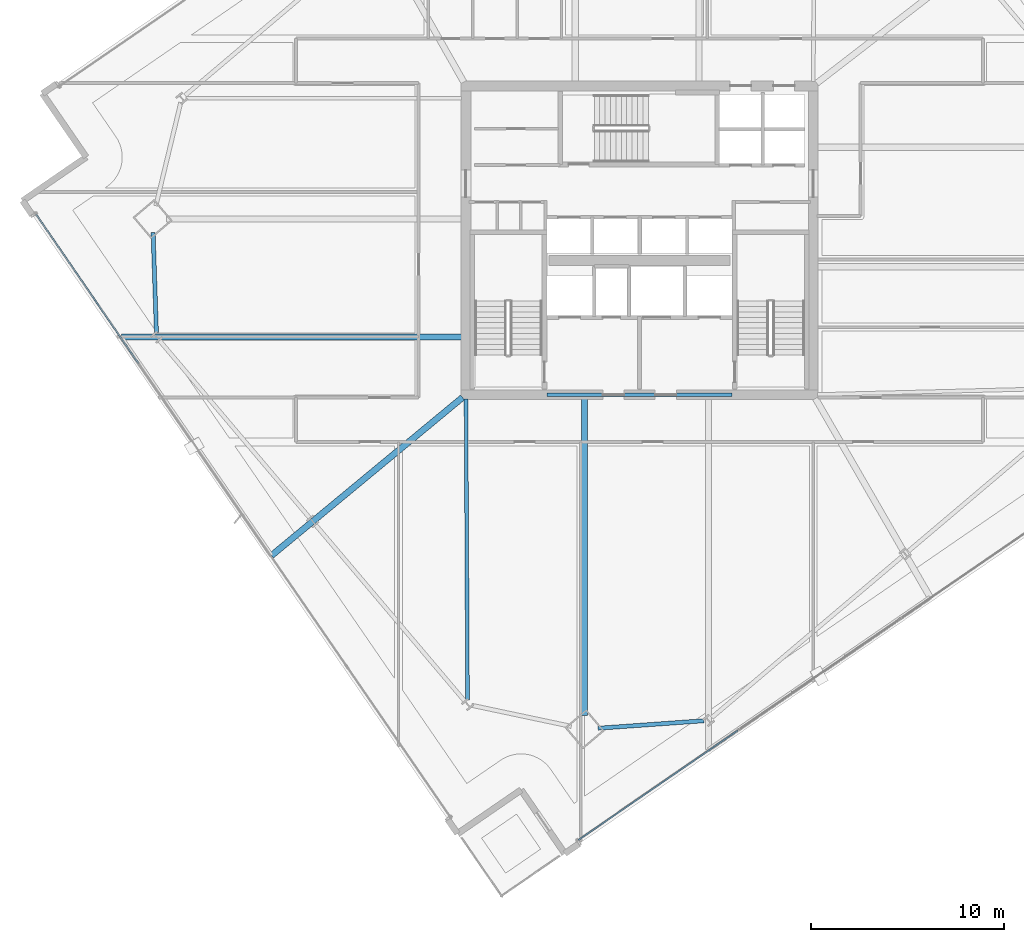
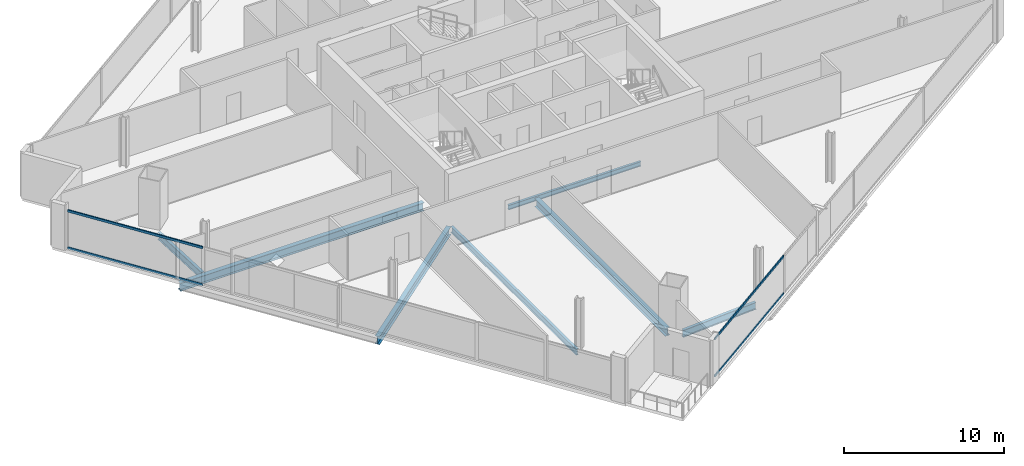
# One storey, part 5 of 29: 7 beams, 4 members, 2 elements without a shape of their own.
"""IFC4 building model written with IfcOpenShell, lengths in metres."""

from ifc_helpers import new_model, si_unit, direction, frame, origin, origin_2d, place, context, subcontext, project, spatial, hollow_rectangle, i_section, extrude, material, material_profile, profile_set, type_object, element, aggregate, save


model = new_model("IFC4")

# Units and contexts
model_context = context("Model", 3, precision=1e-05, world=origin(), true_north=direction((0.0, 1.0)))
body_context = subcontext(model_context, "Body", "Model", "MODEL_VIEW")
ifc_project = project(units=[si_unit("LENGTHUNIT", "METRE"), si_unit("AREAUNIT", "SQUARE_METRE"), si_unit("VOLUMEUNIT", "CUBIC_METRE"), si_unit("PLANEANGLEUNIT", "RADIAN"), si_unit("MASSUNIT", "GRAM", prefix="KILO")], contexts=[model_context])

# Site, building, storey
site_placement = place(None, origin())
site = spatial("IfcSite", under=ifc_project, at=site_placement, CompositionType="ELEMENT")
building_placement = place(site_placement, origin())
building = spatial("IfcBuilding", under=site, at=building_placement, Name="Haldenkirk Collegiate Tower", CompositionType="ELEMENT")
storey_placement = place(building_placement, frame((0.0, 0.0, 144.449951171875)))
storey = spatial("IfcBuildingStorey", under=building, at=storey_placement, Name="L35", CompositionType="ELEMENT", Elevation=144.449951171875)

# Beams
ifc_material_1 = material(Name="Steel ASTM A992 Grade 50", Category="steel")
ifc_material_profile_1 = material_profile(ifc_material_1, i_section(OverallWidth=0.324951171875, OverallDepth=0.615966796875, WebThickness=0.013916015625, FlangeThickness=0.021484375, at=origin_2d()), Name="W24X117")
ifc_profile_set_1 = profile_set([ifc_material_profile_1], Name="Steel ASTM A992 Grade 50")
beam_type_1 = type_object("IfcBeamType", Name="BM-GIRDER-W24X117", PredefinedType="BEAM", material=ifc_profile_set_1)
beam_1_placement = place(storey_placement, frame((33.149169921875, 1.36279296875, -0.597900390625), z_axis=(0.0, 1.0, 0.0), x_axis=(-1.0, 0.0, 0.0)))
element("IfcBeam", 1, at=beam_1_placement, inside=storey, type_object=beam_type_1, Name="L35 primary floor girder 01", PredefinedType="BEAM", context=body_context, shape_type="SweptSolid", body=[
    extrude(i_section(OverallWidth=0.324951171875, OverallDepth=0.615966796875, WebThickness=0.013916015625, FlangeThickness=0.021484375, at=origin_2d()), origin(), (0.0, 0.0, 1.0), 16.4072265625),
])
beam_2_placement = place(storey_placement, frame((9.136962890625, 20.9833984375, -0.597900390625), z_axis=(1.0, 0.0, 0.0), x_axis=(0.0, 1.0, 0.0)))
element("IfcBeam", 2, at=beam_2_placement, inside=storey, type_object=beam_type_1, Name="L35 primary floor girder 14", PredefinedType="BEAM", context=body_context, shape_type="SweptSolid", body=[
    extrude(i_section(OverallWidth=0.324951171875, OverallDepth=0.615966796875, WebThickness=0.013916015625, FlangeThickness=0.021484375, at=origin_2d()), origin(), (0.0, 0.0, 1.0), 17.633056640625),
])
beam_3_placement = place(storey_placement, frame((16.919921875, 9.658935546875, -0.597900390625), z_axis=(0.770427455392, 0.637527674676, 0.0), x_axis=(-0.637527674676, 0.770427455392, 0.0)))
element("IfcBeam", 3, at=beam_3_placement, inside=storey, type_object=beam_type_1, Name="L35 primary floor girder 15", PredefinedType="BEAM", context=body_context, shape_type="SweptSolid", body=[
    extrude(i_section(OverallWidth=0.324951171875, OverallDepth=0.615966796875, WebThickness=0.013916015625, FlangeThickness=0.021484375, at=origin_2d()), origin(), (0.0, 0.0, 1.0), 12.853759765625),
])
ifc_material_profile_2 = material_profile(ifc_material_1, i_section(OverallWidth=0.18994140625, OverallDepth=0.45703125, WebThickness=0.009033203125, FlangeThickness=0.014404296875, at=origin_2d()), Name="W18X50")
ifc_profile_set_2 = profile_set([ifc_material_profile_2], Name="Steel ASTM A992 Grade 50")
beam_type_2 = type_object("IfcBeamType", Name="BM-JOIST-W18X50", PredefinedType="JOIST", material=ifc_profile_set_2)
beam_4_placement = place(storey_placement, frame((27.081787109375, 2.17138671875, -0.5185546875), z_axis=(-0.005164896989, 0.999986661831, 0.0), x_axis=(-0.999986661831, -0.005164896989, 0.0)))
element("IfcBeam", 4, at=beam_4_placement, inside=storey, type_object=beam_type_2, Name="L35 composite floor joist 16", PredefinedType="JOIST", context=body_context, shape_type="SweptSolid", body=[
    extrude(i_section(OverallWidth=0.18994140625, OverallDepth=0.45703125, WebThickness=0.009033203125, FlangeThickness=0.014404296875, at=origin_2d()), origin(), (0.0, 0.0, 1.0), 15.598876953125),
])
ifc_material_profile_3 = material_profile(ifc_material_1, i_section(OverallWidth=0.1708984375, OverallDepth=0.35595703125, WebThickness=0.007080078125, FlangeThickness=0.01171875, at=origin_2d()), Name="W14X34")
ifc_profile_set_3 = profile_set([ifc_material_profile_3], Name="Steel ASTM A992 Grade 50")
beam_type_3 = type_object("IfcBeamType", Name="BM-LINTEL-W14X34", PredefinedType="LINTEL", material=ifc_profile_set_3)
beam_5_placement = place(storey_placement, frame((31.199951171875, 18.0, -0.468017578125), z_axis=(1.0, 0.0, 0.0), x_axis=(0.0, 1.0, 0.0)))
element("IfcBeam", 5, at=beam_5_placement, inside=storey, type_object=beam_type_3, Name="L35 south core coupling lintel", PredefinedType="LINTEL", context=body_context, shape_type="SweptSolid", body=[
    extrude(i_section(OverallWidth=0.1708984375, OverallDepth=0.35595703125, WebThickness=0.007080078125, FlangeThickness=0.01171875, at=origin_2d()), origin(), (0.0, 0.0, 1.0), 9.60009765625),
])
ifc_material_profile_4 = material_profile(ifc_material_1, i_section(OverallWidth=0.2119140625, OverallDepth=0.5439453125, WebThickness=0.01318359375, FlangeThickness=0.021240234375, at=origin_2d()), Name="W21X83")
ifc_profile_set_4 = profile_set([ifc_material_profile_4], Name="Steel ASTM A992 Grade 50")
beam_type_4 = type_object("IfcBeamType", Name="BM-SPANDREL-W21X83", PredefinedType="SPANDREL", material=ifc_profile_set_4)
beam_6_placement = place(storey_placement, frame((33.852294921875, 0.707763671875, -0.56201171875), z_axis=(0.997489017738, 0.070821320891, 0.0), x_axis=(-0.070821320891, 0.997489017738, 0.0)))
element("IfcBeam", 6, at=beam_6_placement, inside=storey, type_object=beam_type_4, Name="L35 perimeter spandrel beam 01", PredefinedType="SPANDREL", context=body_context, shape_type="SweptSolid", body=[
    extrude(i_section(OverallWidth=0.2119140625, OverallDepth=0.5439453125, WebThickness=0.01318359375, FlangeThickness=0.021240234375, at=origin_2d()), origin(), (0.0, 0.0, 1.0), 5.501953125),
])
beam_7_placement = place(storey_placement, frame((10.7841796875, 26.399169921875, -0.56201171875), z_axis=(0.033072037576, -0.999452970545, 0.0), x_axis=(0.999452970545, 0.033072037576, 0.0)))
element("IfcBeam", 7, at=beam_7_placement, inside=storey, type_object=beam_type_4, Name="L35 perimeter spandrel beam 13", PredefinedType="SPANDREL", context=body_context, shape_type="SweptSolid", body=[
    extrude(i_section(OverallWidth=0.2119140625, OverallDepth=0.5439453125, WebThickness=0.01318359375, FlangeThickness=0.021240234375, at=origin_2d()), origin(), (0.0, 0.0, 1.0), 5.189697265625),
])

# Curtain wall, members
ifc_material_2 = material(Name="Anodised architectural bronze aluminium", Category="aluminium")
curtain_wall_type_1 = type_object("IfcCurtainWallType", Name="CW-SYS2-CONCAVE", PredefinedType="USERDEFINED", material=ifc_material_2)
curtain_wall_1_placement = place(storey_placement, origin())
curtain_wall_1 = element("IfcCurtainWall", 8, at=curtain_wall_1_placement, inside=storey, type_object=curtain_wall_type_1, Name="L35 South concave recessed bronze-anodised curtain wall", ObjectType="UNITISED CURTAIN WALL", PredefinedType="USERDEFINED")
ifc_material_profile_5 = material_profile(ifc_material_2, hollow_rectangle(XDim=0.074951171875, YDim=0.159912109375, WallThickness=0.0048828125, at=origin_2d()), Name="CW-TRN-02")
ifc_profile_set_5 = profile_set([ifc_material_profile_5], Name="Anodised architectural bronze aluminium")
member_type_1 = type_object("IfcMemberType", Name="CW-TRN-02", PredefinedType="USERDEFINED", material=ifc_profile_set_5)
member_1_placement = place(storey_placement, frame((41.095947265625, 0.59912109375, 0.03759765625), z_axis=(-0.824127786304, -0.566403912276, 0.0), x_axis=(0.566403912276, -0.824127786304, 0.0)))
member_1 = element("IfcMember", 9, at=member_1_placement, type_object=member_type_1, Name="CW-02 transom 4.1", ObjectType="TRANSOM", PredefinedType="USERDEFINED", context=body_context, shape_type="SweptSolid", body=[
    extrude(hollow_rectangle(XDim=0.074951171875, YDim=0.159912109375, WallThickness=0.0048828125, at=origin_2d()), origin(), (0.0, 0.0, 1.0), 10.03759765625),
])
member_2_placement = place(storey_placement, frame((41.095947265625, 0.59912109375, 2.87353515625), z_axis=(-0.824127786304, -0.566403912276, 0.0), x_axis=(0.566403912276, -0.824127786304, 0.0)))
member_2 = element("IfcMember", 10, at=member_2_placement, type_object=member_type_1, Name="CW-02 transom 4.2", ObjectType="TRANSOM", PredefinedType="USERDEFINED", context=body_context, shape_type="SweptSolid", body=[
    extrude(hollow_rectangle(XDim=0.074951171875, YDim=0.159912109375, WallThickness=0.0048828125, at=origin_2d()), origin(), (0.0, 0.0, 1.0), 10.03759765625),
])
aggregate(curtain_wall_1, [member_1, member_2])

curtain_wall_type_2 = type_object("IfcCurtainWallType", Name="CW-SYS1-CONVEX-LOW", PredefinedType="USERDEFINED", material=ifc_material_2)
curtain_wall_2_placement = place(storey_placement, origin())
curtain_wall_2 = element("IfcCurtainWall", 11, at=curtain_wall_2_placement, inside=storey, type_object=curtain_wall_type_2, Name="L35 Lower tower convex bronze-framed unitised curtain wall", ObjectType="UNITISED CURTAIN WALL", PredefinedType="USERDEFINED")
ifc_material_profile_6 = material_profile(ifc_material_2, hollow_rectangle(XDim=0.080078125, YDim=0.179931640625, WallThickness=0.0048828125, at=origin_2d()), Name="CW-TRN-1A")
ifc_profile_set_6 = profile_set([ifc_material_profile_6], Name="Anodised architectural bronze aluminium")
member_type_2 = type_object("IfcMemberType", Name="CW-TRN-1A", PredefinedType="USERDEFINED", material=ifc_profile_set_6)
member_3_placement = place(storey_placement, frame((10.033447265625, 19.6083984375, 0.0400390625), z_axis=(-0.566399572463, 0.82413076894, 0.0), x_axis=(-0.82413076894, -0.566399572463, 0.0)))
member_3 = element("IfcMember", 12, at=member_3_placement, type_object=member_type_2, Name="CW-1A transom 4.1", ObjectType="TRANSOM", PredefinedType="USERDEFINED", context=body_context, shape_type="SweptSolid", body=[
    extrude(hollow_rectangle(XDim=0.080078125, YDim=0.179931640625, WallThickness=0.0048828125, at=origin_2d()), origin(), (0.0, 0.0, 1.0), 9.3798828125),
])
member_4_placement = place(storey_placement, frame((10.033447265625, 19.6083984375, 2.87109375), z_axis=(-0.566399572463, 0.82413076894, 0.0), x_axis=(-0.82413076894, -0.566399572463, 0.0)))
member_4 = element("IfcMember", 13, at=member_4_placement, type_object=member_type_2, Name="CW-1A transom 4.2", ObjectType="TRANSOM", PredefinedType="USERDEFINED", context=body_context, shape_type="SweptSolid", body=[
    extrude(hollow_rectangle(XDim=0.080078125, YDim=0.179931640625, WallThickness=0.0048828125, at=origin_2d()), origin(), (0.0, 0.0, 1.0), 9.3798828125),
])
aggregate(curtain_wall_2, [member_3, member_4])

save(model, "model.ifc")
